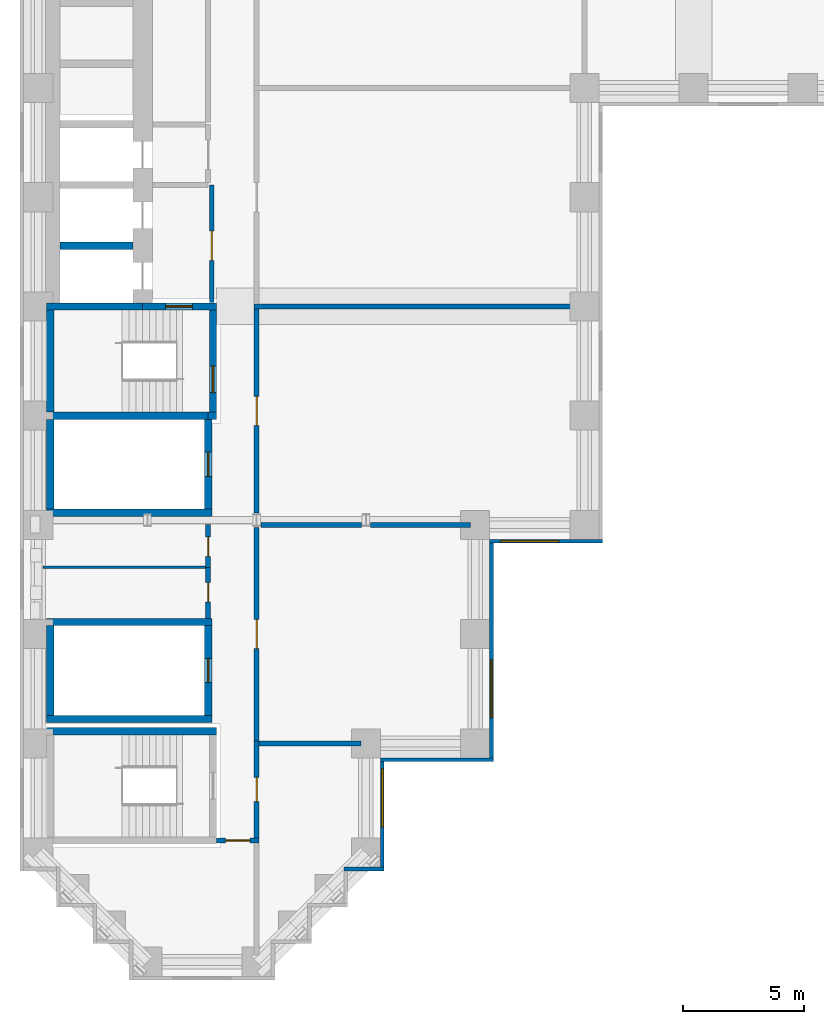
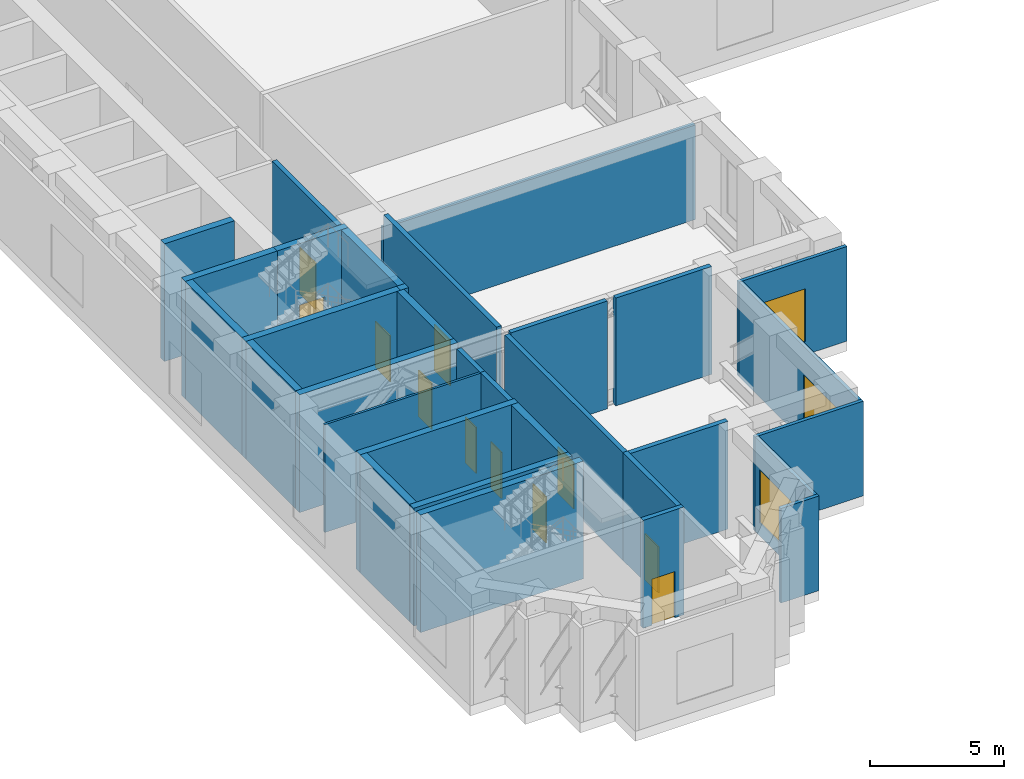
# One storey, part 5 of 13: 32 walls, 11 doors, 3 windows, 14 openings.
"""IFC4 building model written with IfcOpenShell, lengths in metres."""

from ifc_helpers import new_model, si_unit, direction, frame, frame_2d, origin, place, context, subcontext, project, spatial, rectangle, extrude, material, layer, layer_set, type_object, element, fill, save


model = new_model("IFC4")

# Units and contexts
model_context = context("Model", 3, precision=1e-05, world=origin(), true_north=direction((0.0, 1.0)))
body_context = subcontext(model_context, "Body", "Model", "MODEL_VIEW")
ifc_project = project(units=[si_unit("LENGTHUNIT", "METRE"), si_unit("AREAUNIT", "SQUARE_METRE"), si_unit("VOLUMEUNIT", "CUBIC_METRE"), si_unit("PLANEANGLEUNIT", "RADIAN"), si_unit("MASSUNIT", "GRAM", prefix="KILO")], contexts=[model_context])

# Site, building, storey
site_placement = place(None, origin())
site = spatial("IfcSite", under=ifc_project, at=site_placement, CompositionType="ELEMENT")
building_placement = place(site_placement, origin())
building = spatial("IfcBuilding", under=site, at=building_placement, Name="Firuza Court", CompositionType="ELEMENT")
storey_placement = place(building_placement, frame((0.0, 0.0, 108.199951171875)))
storey = spatial("IfcBuildingStorey", under=building, at=storey_placement, Name="L27", CompositionType="ELEMENT", Elevation=108.199951171875)

# Walls
ifc_material_1 = material(Name="Moisture-resistant gypsum board partition")
ifc_layer_1 = layer(ifc_material_1, 0.10009765625)
ifc_layer_set_1 = layer_set([ifc_layer_1], Name="Moisture-resistant gypsum board partition")
wall_type_1 = type_object("IfcWallType", Name="Bathroom partition 100", PredefinedType="PLUMBINGWALL", material=ifc_layer_set_1)
wall_1_placement = place(storey_placement, frame((0.19140625, 16.25, 0.0), z_axis=(0.0, 0.0, 1.0), x_axis=(1.0, 0.0, 0.0)))
element("IfcWall", 1, at=wall_1_placement, inside=storey, type_object=wall_type_1, Name="Bathroom partition 100 L27", PredefinedType="PLUMBINGWALL", context=body_context, shape_type="SweptSolid", body=[
    extrude(rectangle(XDim=6.70849609375, YDim=0.10009765625, at=frame_2d((3.354248046875, 0.0))), origin(), (0.0, 0.0, 1.0), 4.900146484375),
])
ifc_material_2 = material(Name="Concrete C60/75", Category="concrete")
ifc_layer_2 = layer(ifc_material_2, 0.300048828125)
ifc_layer_set_2 = layer_set([ifc_layer_2], Name="Concrete C60/75")
wall_type_2 = type_object("IfcWallType", Name="Core wall 300 C60/75", PredefinedType="SHEAR", material=ifc_layer_set_2)
wall_2_placement = place(storey_placement, frame((0.35009765625, 9.5, -0.449951171875), z_axis=(0.0, 0.0, 1.0), x_axis=(1.0, 0.0, 0.0)))
element("IfcWall", 2, at=wall_2_placement, inside=storey, type_object=wall_type_2, Name="Core wall stair L27", PredefinedType="SHEAR", context=body_context, shape_type="SweptSolid", body=[
    extrude(rectangle(XDim=7.0, YDim=0.300048828125, at=frame_2d((3.5, 0.0))), origin(), (0.0, 0.0, 1.0), 5.35009765625),
])
for number, where, z_axis, x_axis, name in (
    (3, (0.35009765625, 10.0, -0.449951171875), (0.0, 0.0, 1.0), (1.0, 0.0, 0.0), "Core wall riser L27"),
    (4, (0.35009765625, 14.0, -0.449951171875), (0.0, 0.0, 1.0), (1.0, 0.0, 0.0), "Core wall riser L27"),
    (5, (0.35009765625, 18.5, -0.449951171875), (0.0, 0.0, 1.0), (1.0, 0.0, 0.0), "Core wall riser L27"),
):
    element("IfcWall", number, at=place(storey_placement, frame(where, z_axis=z_axis, x_axis=x_axis)), inside=storey, type_object=wall_type_2, Name=name, PredefinedType="SHEAR", context=body_context, shape_type="SweptSolid", body=[
        extrude(rectangle(XDim=6.7998046875, YDim=0.300048828125, at=frame_2d((3.39990234375, 0.0))), origin(), (0.0, 0.0, 1.0), 5.35009765625),
    ])
wall_3_placement = place(storey_placement, frame((0.35009765625, 22.5, -0.449951171875), z_axis=(0.0, 0.0, 1.0), x_axis=(1.0, 0.0, 0.0)))
element("IfcWall", 6, at=wall_3_placement, inside=storey, type_object=wall_type_2, Name="Core wall riser L27", PredefinedType="SHEAR", context=body_context, shape_type="SweptSolid", body=[
    extrude(rectangle(XDim=6.64990234375, YDim=0.300048828125, at=frame_2d((3.324951171875, 0.0))), origin(), (0.0, 0.0, 1.0), 5.35009765625),
])
wall_4_placement = place(storey_placement, frame((0.35009765625, 27.0, -0.449951171875), z_axis=(0.0, 0.0, 1.0), x_axis=(1.0, 0.0, 0.0)))
element("IfcWall", 7, at=wall_4_placement, inside=storey, type_object=wall_type_2, Name="Core wall lift shaft L27", PredefinedType="SHEAR", context=body_context, shape_type="SweptSolid", body=[
    extrude(rectangle(XDim=3.949951171875, YDim=0.300048828125, at=frame_2d((1.97509765625, 0.0))), origin(), (0.0, 0.0, 1.0), 5.35009765625),
])
for number, where, z_axis, x_axis, name in (
    (8, (0.5, 10.14990234375, -0.449951171875), (0.0, 0.0, 1.0), (0.0, 1.0, 0.0), "Core wall riser L27"),
    (9, (0.5, 18.64990234375, -0.449951171875), (0.0, 0.0, 1.0), (0.0, 1.0, 0.0), "Core wall riser L27"),
):
    element("IfcWall", number, at=place(storey_placement, frame(where, z_axis=z_axis, x_axis=x_axis)), inside=storey, type_object=wall_type_2, Name=name, PredefinedType="SHEAR", context=body_context, shape_type="SweptSolid", body=[
        extrude(rectangle(XDim=3.7001953125, YDim=0.300048828125, at=frame_2d((1.85009765625, 0.0))), origin(), (0.0, 0.0, 1.0), 5.35009765625),
    ])
wall_5_placement = place(storey_placement, frame((0.5, 22.64990234375, -0.449951171875), z_axis=(0.0, 0.0, 1.0), x_axis=(0.0, 1.0, 0.0)))
element("IfcWall", 10, at=wall_5_placement, inside=storey, type_object=wall_type_2, Name="Core wall stair L27", PredefinedType="SHEAR", context=body_context, shape_type="SweptSolid", body=[
    extrude(rectangle(XDim=4.2001953125, YDim=0.300048828125, at=frame_2d((2.10009765625, 0.0))), origin(), (0.0, 0.0, 1.0), 5.35009765625),
])
wall_6_placement = place(storey_placement, frame((0.89990234375, 29.5, -0.449951171875), z_axis=(0.0, 0.0, 1.0), x_axis=(1.0, 0.0, 0.0)))
element("IfcWall", 11, at=wall_6_placement, inside=storey, type_object=wall_type_2, Name="Core wall lift shaft L27", PredefinedType="SHEAR", context=body_context, shape_type="SweptSolid", body=[
    extrude(rectangle(XDim=3.0, YDim=0.300048828125, at=frame_2d((1.5, 0.0))), origin(), (0.0, 0.0, 1.0), 5.35009765625),
])

# Wall, opening, door
wall_7_placement = place(storey_placement, frame((4.300048828125, 27.0, -0.449951171875), z_axis=(0.0, 0.0, 1.0), x_axis=(1.0, 0.0, 0.0)))
wall_7 = element("IfcWall", 12, at=wall_7_placement, inside=storey, type_object=wall_type_2, Name="Core wall stair L27", PredefinedType="SHEAR", context=body_context, shape_type="SweptSolid", body=[
    extrude(rectangle(XDim=3.050048828125, YDim=0.300048828125, at=frame_2d((1.52490234375, 0.0))), origin(), (0.0, 0.0, 1.0), 5.35009765625),
])
opening_1_placement = place(wall_7_placement, frame((0.949951171875, 0.0, 0.449951171875)))
opening_1 = element("IfcOpeningElement", 13, at=opening_1_placement, cuts=wall_7, Name="Opening D27014", PredefinedType="OPENING", context=body_context, shape_type="SweptSolid", body=[
    extrude(rectangle(XDim=1.10009765625, YDim=2.10009765625, at=frame_2d((0.550048828125, 1.050048828125))), frame((0.0, 0.162109375, 0.0), z_axis=(0.0, -1.0, 0.0), x_axis=(1.0, 0.0, 0.0)), (0.0, 0.0, 1.0), 0.323974609375),
])
ifc_material_3 = material(Name="Timber door leaf in hardwood frame", Category="wood")
door_type_1 = type_object("IfcDoorType", Name="Stair door 1100", OperationType="SINGLE_SWING_LEFT", PredefinedType="DOOR", material=ifc_material_3)
door_1_placement = place(opening_1_placement, frame((1.10009765625, 0.0, 0.0), z_axis=(0.0, 0.0, 1.0), x_axis=(-1.0, 0.0, 0.0)))
door_1 = element("IfcDoor", 14, at=door_1_placement, inside=storey, type_object=door_type_1, Name="Fire-fighting lobby door", OperationType="SINGLE_SWING_LEFT", OverallHeight=2.10009765625, OverallWidth=1.10009765625, PredefinedType="DOOR", context=body_context, shape_type="SweptSolid", body=[
    extrude(rectangle(XDim=1.10009765625, YDim=2.10009765625, at=frame_2d((0.550048828125, 1.050048828125))), frame((0.0, 0.02490234375, 0.0), z_axis=(0.0, -1.0, 0.0), x_axis=(1.0, 0.0, 0.0)), (0.0, 0.0, 1.0), 0.050048828125),
])
fill(opening_1, door_1)

wall_8_placement = place(storey_placement, frame((7.0, 10.14990234375, -0.449951171875), z_axis=(0.0, 0.0, 1.0), x_axis=(0.0, 1.0, 0.0)))
wall_8 = element("IfcWall", 15, at=wall_8_placement, inside=storey, type_object=wall_type_2, Name="Core wall riser L27", PredefinedType="SHEAR", context=body_context, shape_type="SweptSolid", body=[
    extrude(rectangle(XDim=3.7001953125, YDim=0.300048828125, at=frame_2d((1.85009765625, 0.0))), origin(), (0.0, 0.0, 1.0), 5.35009765625),
])
opening_2_placement = place(wall_8_placement, frame((1.35009765625, 0.0, 0.449951171875)))
opening_2 = element("IfcOpeningElement", 16, at=opening_2_placement, cuts=wall_8, Name="Opening D27012", PredefinedType="OPENING", context=body_context, shape_type="SweptSolid", body=[
    extrude(rectangle(XDim=1.0, YDim=2.10009765625, at=frame_2d((0.5, 1.050048828125))), frame((0.0, 0.162109375, 0.0), z_axis=(0.0, -1.0, 0.0), x_axis=(1.0, 0.0, 0.0)), (0.0, 0.0, 1.0), 0.323974609375),
])
ifc_material_4 = material(Name="Timber door leaf in hardwood frame", Category="wood")
door_type_2 = type_object("IfcDoorType", Name="Riser door 1000", OperationType="SINGLE_SWING_LEFT", PredefinedType="DOOR", material=ifc_material_4)
door_2_placement = place(opening_2_placement, origin())
door_2 = element("IfcDoor", 17, at=door_2_placement, inside=storey, type_object=door_type_2, Name="Riser door R4", OperationType="SINGLE_SWING_LEFT", OverallHeight=2.10009765625, OverallWidth=1.0, PredefinedType="DOOR", context=body_context, shape_type="SweptSolid", body=[
    extrude(rectangle(XDim=1.0, YDim=2.10009765625, at=frame_2d((0.5, 1.050048828125))), frame((0.0, 0.02490234375, 0.0), z_axis=(0.0, -1.0, 0.0), x_axis=(1.0, 0.0, 0.0)), (0.0, 0.0, 1.0), 0.050048828125),
])
fill(opening_2, door_2)

wall_9_placement = place(storey_placement, frame((7.0, 18.64990234375, -0.449951171875), z_axis=(0.0, 0.0, 1.0), x_axis=(0.0, 1.0, 0.0)))
wall_9 = element("IfcWall", 18, at=wall_9_placement, inside=storey, type_object=wall_type_2, Name="Core wall riser L27", PredefinedType="SHEAR", context=body_context, shape_type="SweptSolid", body=[
    extrude(rectangle(XDim=3.7001953125, YDim=0.300048828125, at=frame_2d((1.85009765625, 0.0))), origin(), (0.0, 0.0, 1.0), 5.35009765625),
])
opening_3_placement = place(wall_9_placement, frame((1.35009765625, 0.0, 0.449951171875)))
opening_3 = element("IfcOpeningElement", 19, at=opening_3_placement, cuts=wall_9, Name="Opening D27010", PredefinedType="OPENING", context=body_context, shape_type="SweptSolid", body=[
    extrude(rectangle(XDim=1.0, YDim=2.10009765625, at=frame_2d((0.5, 1.050048828125))), frame((0.0, 0.162109375, 0.0), z_axis=(0.0, -1.0, 0.0), x_axis=(1.0, 0.0, 0.0)), (0.0, 0.0, 1.0), 0.323974609375),
])
door_3_placement = place(opening_3_placement, origin())
door_3 = element("IfcDoor", 20, at=door_3_placement, inside=storey, type_object=door_type_2, Name="Riser door R1", OperationType="SINGLE_SWING_LEFT", OverallHeight=2.10009765625, OverallWidth=1.0, PredefinedType="DOOR", context=body_context, shape_type="SweptSolid", body=[
    extrude(rectangle(XDim=1.0, YDim=2.10009765625, at=frame_2d((0.5, 1.050048828125))), frame((0.0, 0.02490234375, 0.0), z_axis=(0.0, -1.0, 0.0), x_axis=(1.0, 0.0, 0.0)), (0.0, 0.0, 1.0), 0.050048828125),
])
fill(opening_3, door_3)

# Wall
wall_10_placement = place(storey_placement, frame((7.0, 22.5, -0.449951171875), z_axis=(0.0, 0.0, 1.0), x_axis=(1.0, 0.0, 0.0)))
element("IfcWall", 21, at=wall_10_placement, inside=storey, type_object=wall_type_2, Name="Core wall stair L27", PredefinedType="SHEAR", context=body_context, shape_type="SweptSolid", body=[
    extrude(rectangle(XDim=0.35009765625, YDim=0.300048828125, at=frame_2d((0.175048828125, 0.0))), origin(), (0.0, 0.0, 1.0), 5.35009765625),
])

# Wall, opening, door
wall_11_placement = place(storey_placement, frame((7.199951171875, 22.64990234375, -0.449951171875), z_axis=(0.0, 0.0, 1.0), x_axis=(0.0, 1.0, 0.0)))
wall_11 = element("IfcWall", 22, at=wall_11_placement, inside=storey, type_object=wall_type_2, Name="Core wall stair L27", PredefinedType="SHEAR", context=body_context, shape_type="SweptSolid", body=[
    extrude(rectangle(XDim=4.2001953125, YDim=0.300048828125, at=frame_2d((2.10009765625, 0.0))), origin(), (0.0, 0.0, 1.0), 5.35009765625),
])
opening_4_placement = place(wall_11_placement, frame((0.800048828125, 0.0, 0.449951171875)))
opening_4 = element("IfcOpeningElement", 23, at=opening_4_placement, cuts=wall_11, Name="Opening D27015", PredefinedType="OPENING", context=body_context, shape_type="SweptSolid", body=[
    extrude(rectangle(XDim=1.10009765625, YDim=2.10009765625, at=frame_2d((0.550048828125, 1.050048828125))), frame((0.0, 0.162109375, 0.0), z_axis=(0.0, -1.0, 0.0), x_axis=(1.0, 0.0, 0.0)), (0.0, 0.0, 1.0), 0.323974609375),
])
door_4_placement = place(opening_4_placement, origin())
door_4 = element("IfcDoor", 24, at=door_4_placement, inside=storey, type_object=door_type_1, Name="Stair door S2", OperationType="SINGLE_SWING_LEFT", OverallHeight=2.10009765625, OverallWidth=1.10009765625, PredefinedType="DOOR", context=body_context, shape_type="SweptSolid", body=[
    extrude(rectangle(XDim=1.10009765625, YDim=2.10009765625, at=frame_2d((0.550048828125, 1.050048828125))), frame((0.0, 0.02490234375, 0.0), z_axis=(0.0, -1.0, 0.0), x_axis=(1.0, 0.0, 0.0)), (0.0, 0.0, 1.0), 0.050048828125),
])
fill(opening_4, door_4)

ifc_material_5 = material(Name="Blockwork, plastered both sides", Category="masonry")
ifc_layer_3 = layer(ifc_material_5, 0.199951171875)
ifc_layer_set_3 = layer_set([ifc_layer_3], Name="Blockwork, plastered both sides")
wall_type_3 = type_object("IfcWallType", Name="Corridor wall 200", PredefinedType="PARTITIONING", material=ifc_layer_set_3)
wall_12_placement = place(storey_placement, frame((7.0, 16.25, 0.0), z_axis=(0.0, 0.0, 1.0), x_axis=(0.0, -1.0, 0.0)))
wall_12 = element("IfcWall", 25, at=wall_12_placement, inside=storey, type_object=wall_type_3, Name="Corridor wall 200 L27", PredefinedType="PARTITIONING", context=body_context, shape_type="SweptSolid", body=[
    extrude(rectangle(XDim=2.10009765625, YDim=0.199951171875, at=frame_2d((1.050048828125, 0.0))), origin(), (0.0, 0.0, 1.0), 4.900146484375),
])
opening_5_placement = place(wall_12_placement, frame((0.625, 0.0, 0.0)))
opening_5 = element("IfcOpeningElement", 26, at=opening_5_placement, cuts=wall_12, Name="Opening D27022", PredefinedType="OPENING", context=body_context, shape_type="SweptSolid", body=[
    extrude(rectangle(XDim=0.800048828125, YDim=2.10009765625, at=frame_2d((0.39990234375, 1.050048828125))), frame((0.0, 0.11181640625, 0.0), z_axis=(0.0, -1.0, 0.0), x_axis=(1.0, 0.0, 0.0)), (0.0, 0.0, 1.0), 0.223876953125),
])
ifc_material_6 = material(Name="Timber door leaf in hardwood frame", Category="wood")
door_type_3 = type_object("IfcDoorType", Name="Room door 800 EI 30", OperationType="SINGLE_SWING_LEFT", PredefinedType="DOOR", material=ifc_material_6)
door_5_placement = place(opening_5_placement, frame((0.800048828125, 0.0, 0.0), z_axis=(0.0, 0.0, 1.0), x_axis=(-1.0, 0.0, 0.0)))
door_5 = element("IfcDoor", 27, at=door_5_placement, inside=storey, type_object=door_type_3, Name="Room door", OperationType="SINGLE_SWING_RIGHT", OverallHeight=2.10009765625, OverallWidth=0.800048828125, PredefinedType="DOOR", context=body_context, shape_type="SweptSolid", body=[
    extrude(rectangle(XDim=0.800048828125, YDim=2.10009765625, at=frame_2d((0.39990234375, 1.050048828125))), frame((0.0, 0.02490234375, 0.0), z_axis=(0.0, -1.0, 0.0), x_axis=(1.0, 0.0, 0.0)), (0.0, 0.0, 1.0), 0.050048828125),
])
fill(opening_5, door_5)

wall_13_placement = place(storey_placement, frame((7.0, 18.006103515625, 0.0), z_axis=(0.0, 0.0, 1.0), x_axis=(0.0, -1.0, 0.0)))
wall_13 = element("IfcWall", 28, at=wall_13_placement, inside=storey, type_object=wall_type_3, Name="Corridor wall 200 L27", PredefinedType="PARTITIONING", context=body_context, shape_type="SweptSolid", body=[
    extrude(rectangle(XDim=1.756103515625, YDim=0.199951171875, at=frame_2d((0.8779296875, 0.0))), origin(), (0.0, 0.0, 1.0), 4.900146484375),
])
opening_6_placement = place(wall_13_placement, frame((0.5029296875, 0.0, 0.0)))
opening_6 = element("IfcOpeningElement", 29, at=opening_6_placement, cuts=wall_13, Name="Opening D27024", PredefinedType="OPENING", context=body_context, shape_type="SweptSolid", body=[
    extrude(rectangle(XDim=0.800048828125, YDim=2.10009765625, at=frame_2d((0.39990234375, 1.050048828125))), frame((0.0, 0.11181640625, 0.0), z_axis=(0.0, -1.0, 0.0), x_axis=(1.0, 0.0, 0.0)), (0.0, 0.0, 1.0), 0.223876953125),
])
door_6_placement = place(opening_6_placement, frame((0.800048828125, 0.0, 0.0), z_axis=(0.0, 0.0, 1.0), x_axis=(-1.0, 0.0, 0.0)))
door_6 = element("IfcDoor", 30, at=door_6_placement, inside=storey, type_object=door_type_3, Name="Room door", OperationType="SINGLE_SWING_LEFT", OverallHeight=2.10009765625, OverallWidth=0.800048828125, PredefinedType="DOOR", context=body_context, shape_type="SweptSolid", body=[
    extrude(rectangle(XDim=0.800048828125, YDim=2.10009765625, at=frame_2d((0.39990234375, 1.050048828125))), frame((0.0, 0.02490234375, 0.0), z_axis=(0.0, -1.0, 0.0), x_axis=(1.0, 0.0, 0.0)), (0.0, 0.0, 1.0), 0.050048828125),
])
fill(opening_6, door_6)

ifc_material_7 = material(Name="Blockwork, fire-rated", Category="masonry")
ifc_layer_4 = layer(ifc_material_7, 0.199951171875)
ifc_layer_set_4 = layer_set([ifc_layer_4], Name="Blockwork, fire-rated")
wall_type_4 = type_object("IfcWallType", Name="Plant room wall 200", PredefinedType="PARTITIONING", material=ifc_layer_set_4)
wall_14_placement = place(storey_placement, frame((7.35009765625, 5.0, 0.0), z_axis=(0.0, 0.0, 1.0), x_axis=(1.0, 0.0, 0.0)))
wall_14 = element("IfcWall", 31, at=wall_14_placement, inside=storey, type_object=wall_type_4, Name="Plant room wall 200 L27", PredefinedType="PARTITIONING", context=body_context, shape_type="SweptSolid", body=[
    extrude(rectangle(XDim=1.75, YDim=0.199951171875, at=frame_2d((0.875, 0.0))), origin(), (0.0, 0.0, 1.0), 4.900146484375),
])
opening_7_placement = place(wall_14_placement, frame((0.375, 0.0, 0.0)))
opening_7 = element("IfcOpeningElement", 32, at=opening_7_placement, cuts=wall_14, Name="Opening D27019", PredefinedType="OPENING", context=body_context, shape_type="SweptSolid", body=[
    extrude(rectangle(XDim=1.0, YDim=2.10009765625, at=frame_2d((0.5, 1.050048828125))), frame((0.0, 0.11181640625, 0.0), z_axis=(0.0, -1.0, 0.0), x_axis=(1.0, 0.0, 0.0)), (0.0, 0.0, 1.0), 0.223876953125),
])
ifc_material_8 = material(Name="Timber door leaf in hardwood frame", Category="wood")
door_type_4 = type_object("IfcDoorType", Name="Store door 1000", OperationType="SINGLE_SWING_LEFT", PredefinedType="DOOR", material=ifc_material_8)
door_7_placement = place(opening_7_placement, frame((1.0, 0.0, 0.0), z_axis=(0.0, 0.0, 1.0), x_axis=(-1.0, 0.0, 0.0)))
door_7 = element("IfcDoor", 33, at=door_7_placement, inside=storey, type_object=door_type_4, Name="Store door", OperationType="SINGLE_SWING_LEFT", OverallHeight=2.10009765625, OverallWidth=1.0, PredefinedType="DOOR", context=body_context, shape_type="SweptSolid", body=[
    extrude(rectangle(XDim=1.0, YDim=2.10009765625, at=frame_2d((0.5, 1.050048828125))), frame((0.0, 0.02490234375, 0.0), z_axis=(0.0, -1.0, 0.0), x_axis=(1.0, 0.0, 0.0)), (0.0, 0.0, 1.0), 0.050048828125),
])
fill(opening_7, door_7)

wall_15_placement = place(storey_placement, frame((9.0, 5.10009765625, 0.0), z_axis=(0.0, 0.0, 1.0), x_axis=(0.0, 1.0, 0.0)))
wall_15 = element("IfcWall", 34, at=wall_15_placement, inside=storey, type_object=wall_type_4, Name="Plant room wall 200 L27", PredefinedType="PARTITIONING", context=body_context, shape_type="SweptSolid", body=[
    extrude(rectangle(XDim=4.0, YDim=0.199951171875, at=frame_2d((2.0, 0.0))), origin(), (0.0, 0.0, 1.0), 4.900146484375),
])
opening_8_placement = place(wall_15_placement, frame((1.5, 0.0, 0.0)))
opening_8 = element("IfcOpeningElement", 35, at=opening_8_placement, cuts=wall_15, Name="Opening D27020", PredefinedType="OPENING", context=body_context, shape_type="SweptSolid", body=[
    extrude(rectangle(XDim=1.0, YDim=2.10009765625, at=frame_2d((0.5, 1.050048828125))), frame((0.0, 0.11181640625, 0.0), z_axis=(0.0, -1.0, 0.0), x_axis=(1.0, 0.0, 0.0)), (0.0, 0.0, 1.0), 0.223876953125),
])
door_8_placement = place(opening_8_placement, frame((1.0, 0.0, 0.0), z_axis=(0.0, 0.0, 1.0), x_axis=(-1.0, 0.0, 0.0)))
door_8 = element("IfcDoor", 36, at=door_8_placement, inside=storey, type_object=door_type_4, Name="Store door", OperationType="SINGLE_SWING_LEFT", OverallHeight=2.10009765625, OverallWidth=1.0, PredefinedType="DOOR", context=body_context, shape_type="SweptSolid", body=[
    extrude(rectangle(XDim=1.0, YDim=2.10009765625, at=frame_2d((0.5, 1.050048828125))), frame((0.0, 0.02490234375, 0.0), z_axis=(0.0, -1.0, 0.0), x_axis=(1.0, 0.0, 0.0)), (0.0, 0.0, 1.0), 0.050048828125),
])
fill(opening_8, door_8)

wall_16_placement = place(storey_placement, frame((9.0, 9.10009765625, 0.0), z_axis=(0.0, 0.0, 1.0), x_axis=(0.0, 1.0, 0.0)))
wall_16 = element("IfcWall", 37, at=wall_16_placement, inside=storey, type_object=wall_type_4, Name="Plant room wall 200 L27", PredefinedType="PARTITIONING", context=body_context, shape_type="SweptSolid", body=[
    extrude(rectangle(XDim=8.7998046875, YDim=0.199951171875, at=frame_2d((4.39990234375, 0.0))), origin(), (0.0, 0.0, 1.0), 4.900146484375),
])
opening_9_placement = place(wall_16_placement, frame((3.800048828125, 0.0, 0.0)))
opening_9 = element("IfcOpeningElement", 38, at=opening_9_placement, cuts=wall_16, Name="Opening D27021", PredefinedType="OPENING", context=body_context, shape_type="SweptSolid", body=[
    extrude(rectangle(XDim=1.199951171875, YDim=2.10009765625, at=frame_2d((0.60009765625, 1.050048828125))), frame((0.0, 0.11181640625, 0.0), z_axis=(0.0, -1.0, 0.0), x_axis=(1.0, 0.0, 0.0)), (0.0, 0.0, 1.0), 0.223876953125),
])
ifc_material_9 = material(Name="Timber door leaf in hardwood frame", Category="wood")
door_type_5 = type_object("IfcDoorType", Name="Plant room door 1200", OperationType="SINGLE_SWING_LEFT", PredefinedType="DOOR", material=ifc_material_9)
door_9_placement = place(opening_9_placement, frame((1.199951171875, 0.0, 0.0), z_axis=(0.0, 0.0, 1.0), x_axis=(-1.0, 0.0, 0.0)))
door_9 = element("IfcDoor", 39, at=door_9_placement, inside=storey, type_object=door_type_5, Name="Plant door", OperationType="SINGLE_SWING_RIGHT", OverallHeight=2.10009765625, OverallWidth=1.199951171875, PredefinedType="DOOR", context=body_context, shape_type="SweptSolid", body=[
    extrude(rectangle(XDim=1.199951171875, YDim=2.10009765625, at=frame_2d((0.60009765625, 1.050048828125))), frame((0.0, 0.02490234375, 0.0), z_axis=(0.0, -1.0, 0.0), x_axis=(1.0, 0.0, 0.0)), (0.0, 0.0, 1.0), 0.050048828125),
])
fill(opening_9, door_9)

# Wall
wall_17_placement = place(storey_placement, frame((13.30859375, 9.0, 0.0), z_axis=(0.0, 0.0, 1.0), x_axis=(-1.0, 0.0, 0.0)))
element("IfcWall", 40, at=wall_17_placement, inside=storey, type_object=wall_type_4, Name="Plant room wall 200 L27", PredefinedType="PARTITIONING", context=body_context, shape_type="SweptSolid", body=[
    extrude(rectangle(XDim=4.20849609375, YDim=0.199951171875, at=frame_2d((2.104248046875, 0.0))), origin(), (0.0, 0.0, 1.0), 4.900146484375),
])

# Wall, opening, door
wall_18_placement = place(storey_placement, frame((9.0, 18.490478515625, 0.0), z_axis=(0.0, 0.0, 1.0), x_axis=(0.0, 1.0, 0.0)))
wall_18 = element("IfcWall", 41, at=wall_18_placement, inside=storey, type_object=wall_type_4, Name="Plant room wall 200 L27", PredefinedType="PARTITIONING", context=body_context, shape_type="SweptSolid", body=[
    extrude(rectangle(XDim=8.409423828125, YDim=0.199951171875, at=frame_2d((4.20458984375, 0.0))), origin(), (0.0, 0.0, 1.0), 4.900146484375),
])
opening_10_placement = place(wall_18_placement, frame((3.604736328125, 0.0, 0.0)))
opening_10 = element("IfcOpeningElement", 42, at=opening_10_placement, cuts=wall_18, Name="Opening D27023", PredefinedType="OPENING", context=body_context, shape_type="SweptSolid", body=[
    extrude(rectangle(XDim=1.199951171875, YDim=2.10009765625, at=frame_2d((0.60009765625, 1.050048828125))), frame((0.0, 0.11181640625, 0.0), z_axis=(0.0, -1.0, 0.0), x_axis=(1.0, 0.0, 0.0)), (0.0, 0.0, 1.0), 0.223876953125),
])
door_10_placement = place(opening_10_placement, frame((1.199951171875, 0.0, 0.0), z_axis=(0.0, 0.0, 1.0), x_axis=(-1.0, 0.0, 0.0)))
door_10 = element("IfcDoor", 43, at=door_10_placement, inside=storey, type_object=door_type_5, Name="Plant door", OperationType="SINGLE_SWING_LEFT", OverallHeight=2.10009765625, OverallWidth=1.199951171875, PredefinedType="DOOR", context=body_context, shape_type="SweptSolid", body=[
    extrude(rectangle(XDim=1.199951171875, YDim=2.10009765625, at=frame_2d((0.60009765625, 1.050048828125))), frame((0.0, 0.02490234375, 0.0), z_axis=(0.0, -1.0, 0.0), x_axis=(1.0, 0.0, 0.0)), (0.0, 0.0, 1.0), 0.050048828125),
])
fill(opening_10, door_10)

# Walls
wall_19_placement = place(storey_placement, frame((17.80859375, 18.0, 0.0), z_axis=(0.0, 0.0, 1.0), x_axis=(-1.0, 0.0, 0.0)))
element("IfcWall", 44, at=wall_19_placement, inside=storey, type_object=wall_type_4, Name="Plant room wall 200 L27", PredefinedType="PARTITIONING", context=body_context, shape_type="SweptSolid", body=[
    extrude(rectangle(XDim=4.12548828125, YDim=0.199951171875, at=frame_2d((2.062744140625, 0.0))), origin(), (0.0, 0.0, 1.0), 4.900146484375),
])
wall_20_placement = place(storey_placement, frame((13.31689453125, 18.0, 0.0), z_axis=(0.0, 0.0, 1.0), x_axis=(-1.0, 0.0, 0.0)))
element("IfcWall", 45, at=wall_20_placement, inside=storey, type_object=wall_type_4, Name="Plant room wall 200 L27", PredefinedType="PARTITIONING", context=body_context, shape_type="SweptSolid", body=[
    extrude(rectangle(XDim=4.1337890625, YDim=0.199951171875, at=frame_2d((2.06689453125, 0.0))), origin(), (0.0, 0.0, 1.0), 4.900146484375),
])
wall_21_placement = place(storey_placement, frame((22.30859375, 27.0, 0.0), z_axis=(0.0, 0.0, 1.0), x_axis=(-1.0, 0.0, 0.0)))
element("IfcWall", 46, at=wall_21_placement, inside=storey, type_object=wall_type_4, Name="Plant room wall 200 L27", PredefinedType="PARTITIONING", context=body_context, shape_type="SweptSolid", body=[
    extrude(rectangle(XDim=13.40869140625, YDim=0.199951171875, at=frame_2d((6.704345703125, 0.0))), origin(), (0.0, 0.0, 1.0), 4.300048828125),
])
ifc_material_10 = material(Name="Ceramic tile", Category="ceramic")
ifc_layer_5 = layer(ifc_material_10, 0.02001953125)
ifc_material_11 = material(Name="Mineral wool insulation", Category="insulation")
ifc_layer_6 = layer(ifc_material_11, 0.050048828125)
ifc_material_12 = material(Name="Concrete C40/50 precast", Category="concrete")
ifc_layer_7 = layer(ifc_material_12, 0.080078125)
ifc_layer_set_5 = layer_set([ifc_layer_5, ifc_layer_6, ifc_layer_7], Name="Concrete C40/50 precast")
wall_type_5 = type_object("IfcWallType", Name="Precast cladding wall with turquoise TILE PANEL face 150", PredefinedType="STANDARD", material=ifc_layer_set_5)
wall_22_placement = place(storey_placement, frame((12.60009765625, 3.824951171875, 0.0), z_axis=(0.0, 0.0, 1.0), x_axis=(1.0, 0.0, 0.0)))
element("IfcWall", 47, at=wall_22_placement, inside=storey, type_object=wall_type_5, Name="Facade wall L27 S", PredefinedType="STANDARD", context=body_context, shape_type="SweptSolid", body=[
    extrude(rectangle(XDim=1.64990234375, YDim=0.14990234375, at=frame_2d((0.824951171875, 0.0))), origin(), (0.0, 0.0, 1.0), 4.300048828125),
])

# Wall, opening, window
wall_23_placement = place(storey_placement, frame((14.175048828125, 3.89990234375, 0.0), z_axis=(0.0, 0.0, 1.0), x_axis=(0.0, 1.0, 0.0)))
wall_23 = element("IfcWall", 48, at=wall_23_placement, inside=storey, type_object=wall_type_5, Name="Facade wall L27 E", PredefinedType="STANDARD", context=body_context, shape_type="SweptSolid", body=[
    extrude(rectangle(XDim=4.35009765625, YDim=0.14990234375, at=frame_2d((2.175048828125, 0.0))), origin(), (0.0, 0.0, 1.0), 4.300048828125),
])
opening_11_placement = place(wall_23_placement, frame((1.64990234375, 0.0, 0.60009765625)))
opening_11 = element("IfcOpeningElement", 49, at=opening_11_placement, cuts=wall_23, Name="Opening LV2", PredefinedType="OPENING", context=body_context, shape_type="SweptSolid", body=[
    extrude(rectangle(XDim=2.39990234375, YDim=2.39990234375, at=frame_2d((1.199951171875, 1.199951171875))), frame((0.0, 0.0869140625, 0.0), z_axis=(0.0, -1.0, 0.0), x_axis=(1.0, 0.0, 0.0)), (0.0, 0.0, 1.0), 0.173828125),
])
ifc_material_13 = material(Name="Aluminium weather louvre with insect mesh", Category="aluminium")
window_type = type_object("IfcWindowType", Name="Plant louvre 2400 x 2400", PartitioningType="SINGLE_PANEL", PredefinedType="USERDEFINED", material=ifc_material_13)
window_1_placement = place(opening_11_placement, origin())
window_1 = element("IfcWindow", 50, at=window_1_placement, inside=storey, type_object=window_type, Name="Louvre L27", ObjectType="LOUVRE", OverallHeight=2.39990234375, OverallWidth=2.39990234375, PartitioningType="SINGLE_PANEL", PredefinedType="USERDEFINED", context=body_context, shape_type="SweptSolid", body=[
    extrude(rectangle(XDim=2.39990234375, YDim=2.39990234375, at=frame_2d((1.199951171875, 1.199951171875))), frame((0.0, 0.030029296875, 0.0), z_axis=(0.0, -1.0, 0.0), x_axis=(1.0, 0.0, 0.0)), (0.0, 0.0, 1.0), 0.06005859375),
])
fill(opening_11, window_1)

# Wall
wall_24_placement = place(storey_placement, frame((14.10009765625, 8.324951171875, 0.0), z_axis=(0.0, 0.0, 1.0), x_axis=(1.0, 0.0, 0.0)))
element("IfcWall", 51, at=wall_24_placement, inside=storey, type_object=wall_type_5, Name="Facade wall L27 S", PredefinedType="STANDARD", context=body_context, shape_type="SweptSolid", body=[
    extrude(rectangle(XDim=4.64990234375, YDim=0.14990234375, at=frame_2d((2.324951171875, 0.0))), origin(), (0.0, 0.0, 1.0), 4.300048828125),
])

# Wall, opening, window
wall_25_placement = place(storey_placement, frame((18.675048828125, 8.39990234375, 0.0), z_axis=(0.0, 0.0, 1.0), x_axis=(0.0, 1.0, 0.0)))
wall_25 = element("IfcWall", 52, at=wall_25_placement, inside=storey, type_object=wall_type_5, Name="Facade wall L27 E", PredefinedType="STANDARD", context=body_context, shape_type="SweptSolid", body=[
    extrude(rectangle(XDim=8.85009765625, YDim=0.14990234375, at=frame_2d((4.425048828125, 0.0))), origin(), (0.0, 0.0, 1.0), 4.300048828125),
])
opening_12_placement = place(wall_25_placement, frame((1.64990234375, 0.0, 0.60009765625)))
opening_12 = element("IfcOpeningElement", 53, at=opening_12_placement, cuts=wall_25, Name="Opening LV2", PredefinedType="OPENING", context=body_context, shape_type="SweptSolid", body=[
    extrude(rectangle(XDim=2.39990234375, YDim=2.39990234375, at=frame_2d((1.199951171875, 1.199951171875))), frame((0.0, 0.0869140625, 0.0), z_axis=(0.0, -1.0, 0.0), x_axis=(1.0, 0.0, 0.0)), (0.0, 0.0, 1.0), 0.173828125),
])
window_2_placement = place(opening_12_placement, origin())
window_2 = element("IfcWindow", 54, at=window_2_placement, inside=storey, type_object=window_type, Name="Louvre L27", ObjectType="LOUVRE", OverallHeight=2.39990234375, OverallWidth=2.39990234375, PartitioningType="SINGLE_PANEL", PredefinedType="USERDEFINED", context=body_context, shape_type="SweptSolid", body=[
    extrude(rectangle(XDim=2.39990234375, YDim=2.39990234375, at=frame_2d((1.199951171875, 1.199951171875))), frame((0.0, 0.030029296875, 0.0), z_axis=(0.0, -1.0, 0.0), x_axis=(1.0, 0.0, 0.0)), (0.0, 0.0, 1.0), 0.06005859375),
])
fill(opening_12, window_2)

wall_26_placement = place(storey_placement, frame((18.60009765625, 17.324951171875, 0.0), z_axis=(0.0, 0.0, 1.0), x_axis=(1.0, 0.0, 0.0)))
wall_26 = element("IfcWall", 55, at=wall_26_placement, inside=storey, type_object=wall_type_5, Name="Facade wall L27 S", PredefinedType="STANDARD", context=body_context, shape_type="SweptSolid", body=[
    extrude(rectangle(XDim=4.64990234375, YDim=0.14990234375, at=frame_2d((2.324951171875, 0.0))), origin(), (0.0, 0.0, 1.0), 4.300048828125),
])
opening_13_placement = place(wall_26_placement, frame((0.449951171875, 0.0, 0.60009765625)))
opening_13 = element("IfcOpeningElement", 56, at=opening_13_placement, cuts=wall_26, Name="Opening LV2", PredefinedType="OPENING", context=body_context, shape_type="SweptSolid", body=[
    extrude(rectangle(XDim=2.39990234375, YDim=2.39990234375, at=frame_2d((1.199951171875, 1.199951171875))), frame((0.0, 0.0869140625, 0.0), z_axis=(0.0, -1.0, 0.0), x_axis=(1.0, 0.0, 0.0)), (0.0, 0.0, 1.0), 0.173828125),
])
window_3_placement = place(opening_13_placement, origin())
window_3 = element("IfcWindow", 57, at=window_3_placement, inside=storey, type_object=window_type, Name="Louvre L27", ObjectType="LOUVRE", OverallHeight=2.39990234375, OverallWidth=2.39990234375, PartitioningType="SINGLE_PANEL", PredefinedType="USERDEFINED", context=body_context, shape_type="SweptSolid", body=[
    extrude(rectangle(XDim=2.39990234375, YDim=2.39990234375, at=frame_2d((1.199951171875, 1.199951171875))), frame((0.0, 0.030029296875, 0.0), z_axis=(0.0, -1.0, 0.0), x_axis=(1.0, 0.0, 0.0)), (0.0, 0.0, 1.0), 0.06005859375),
])
fill(opening_13, window_3)

# Wall, opening, door
ifc_layer_8 = layer(ifc_material_7, 0.199951171875)
ifc_layer_set_6 = layer_set([ifc_layer_8], Name="Blockwork, fire-rated")
wall_type_6 = type_object("IfcWallType", Name="Shaft wall 200", PredefinedType="PARTITIONING", material=ifc_layer_set_6)
wall_27_placement = place(storey_placement, frame((7.14990234375, 27.169921875, 0.0), z_axis=(0.0, 0.0, 1.0), x_axis=(0.0, 1.0, 0.0)))
wall_27 = element("IfcWall", 58, at=wall_27_placement, inside=storey, type_object=wall_type_6, Name="Shaft wall 200 L27", PredefinedType="PARTITIONING", context=body_context, shape_type="SweptSolid", body=[
    extrude(rectangle(XDim=4.830078125, YDim=0.199951171875, at=frame_2d((2.4150390625, 0.0))), origin(), (0.0, 0.0, 1.0), 4.900146484375),
])
opening_14_placement = place(wall_27_placement, frame((1.72998046875, 0.0, 0.0)))
opening_14 = element("IfcOpeningElement", 59, at=opening_14_placement, cuts=wall_27, Name="Opening D27002", PredefinedType="OPENING", context=body_context, shape_type="SweptSolid", body=[
    extrude(rectangle(XDim=1.199951171875, YDim=2.10009765625, at=frame_2d((0.60009765625, 1.050048828125))), frame((0.0, 0.11181640625, 0.0), z_axis=(0.0, -1.0, 0.0), x_axis=(1.0, 0.0, 0.0)), (0.0, 0.0, 1.0), 0.223876953125),
])
ifc_material_14 = material(Name="Timber door leaf in hardwood frame", Category="wood")
door_type_6 = type_object("IfcDoorType", Name="Lobby door 1200", OperationType="SINGLE_SWING_LEFT", PredefinedType="DOOR", material=ifc_material_14)
door_11_placement = place(opening_14_placement, origin())
door_11 = element("IfcDoor", 60, at=door_11_placement, inside=storey, type_object=door_type_6, Name="Fire-fighting lobby door", OperationType="SINGLE_SWING_LEFT", OverallHeight=2.10009765625, OverallWidth=1.199951171875, PredefinedType="DOOR", context=body_context, shape_type="SweptSolid", body=[
    extrude(rectangle(XDim=1.199951171875, YDim=2.10009765625, at=frame_2d((0.60009765625, 1.050048828125))), frame((0.0, 0.02490234375, 0.0), z_axis=(0.0, -1.0, 0.0), x_axis=(1.0, 0.0, 0.0)), (0.0, 0.0, 1.0), 0.050048828125),
])
fill(opening_14, door_11)

save(model, "model.ifc")
